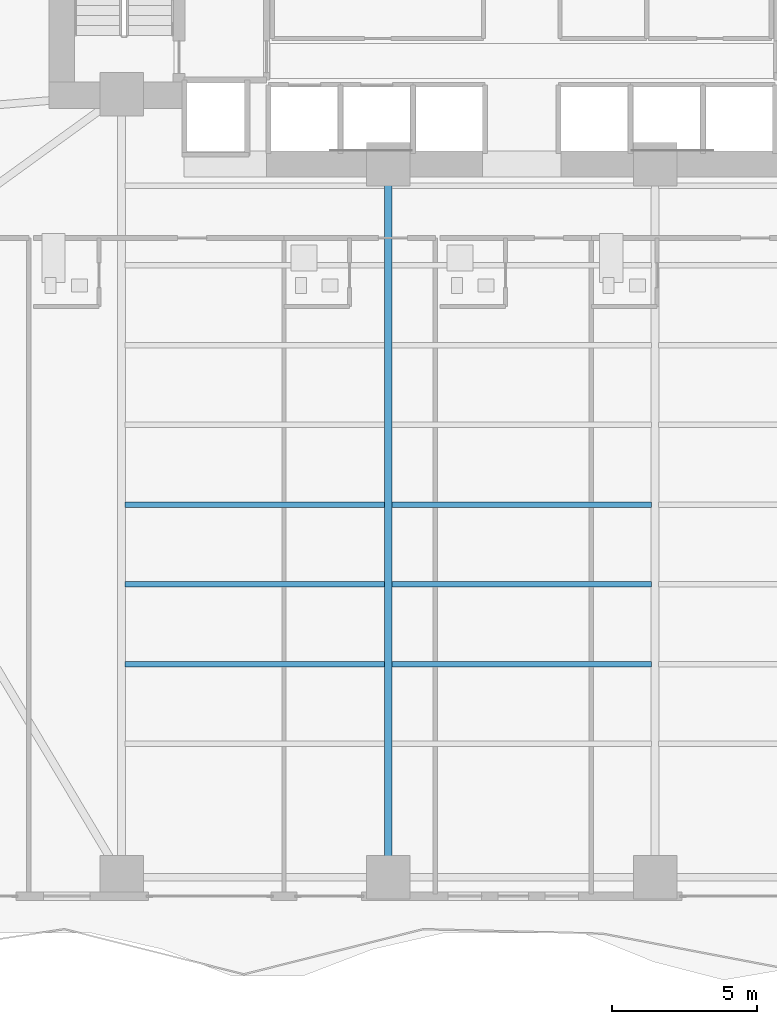
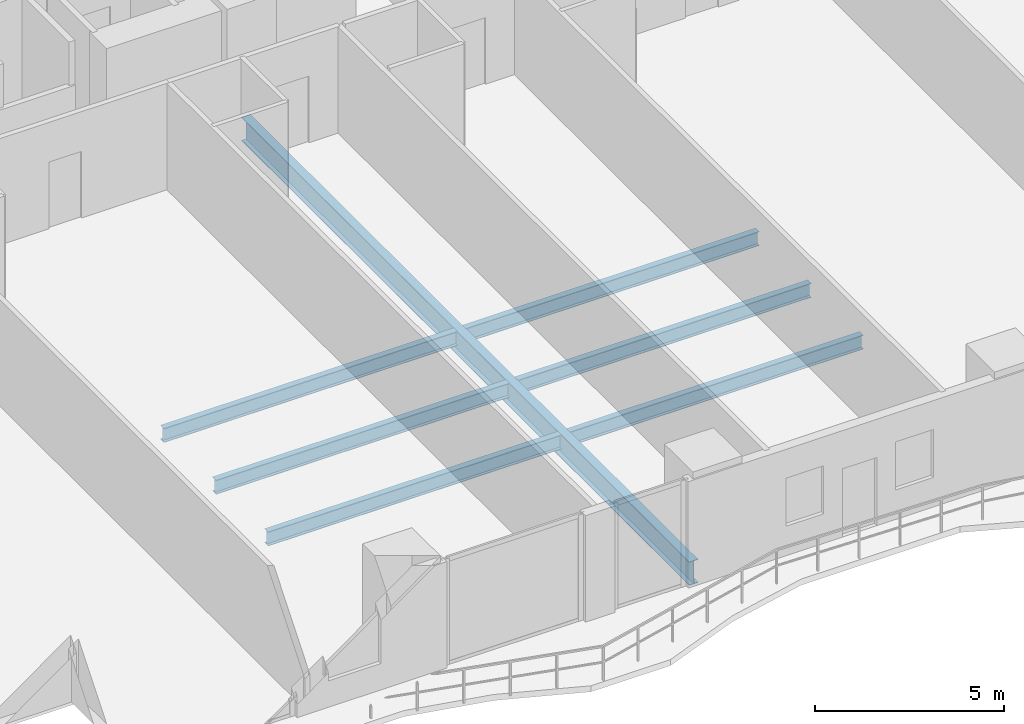
# One storey, part 5 of 29: 7 beams.
"""IFC4 building model written with IfcOpenShell, lengths in metres."""

import ifcopenshell
import ifcopenshell.guid

model = None  # the IFC model being written
_history = None  # IfcOwnerHistory: only IFC2X3 demands one
_inside = {}  # id of a spatial element -> (the spatial element, [elements in it])
_under = {}  # id of a project, library or spatial element -> (it, [spatial elements below it])
_declared = {}  # id of a project -> (the project, [libraries it declares])
_typed = {}  # id of a type object -> (the type object, [elements of that type])
_made_of = {}  # id of a material, layer set ... -> (it, [elements and type objects made of it])


def new_model(schema):
    """Start an empty IFC model of exactly this schema.

    Asked for "IFC4X3", IfcOpenShell would pick the latest addendum, in which some entities
    have other attributes; the version numbers below select the first issue.
    IFC2X3 requires an IfcOwnerHistory on every rooted entity: one is made here for all.
    """
    global model, _history
    if schema == "IFC4X3":
        model = ifcopenshell.file(schema_version=(4, 3, 0, 0))
    else:
        model = ifcopenshell.file(schema=schema)
    _inside.clear()
    _under.clear()
    _declared.clear()
    _typed.clear()
    _made_of.clear()
    _history = None
    if model.schema == "IFC2X3":
        org = make("IfcOrganization", Name="unknown")
        user = make(
            "IfcPersonAndOrganization",
            ThePerson=make("IfcPerson", FamilyName="unknown"),
            TheOrganization=org,
        )
        app = make(
            "IfcApplication",
            ApplicationDeveloper=org,
            Version="unknown",
            ApplicationFullName="unknown",
            ApplicationIdentifier="unknown",
        )
        _history = make(
            "IfcOwnerHistory",
            OwningUser=user,
            OwningApplication=app,
            ChangeAction="ADDED",
            CreationDate=0,
        )
    return model


def make(cls, **values):
    """One entity of the class cls with the attributes given. An attribute that is None is left unset."""
    return model.create_entity(
        cls, **{name: value for name, value in values.items() if value is not None}
    )


def rooted(cls, **values):
    """An entity with a GlobalId (a new one), such as an element, a storey or a relation."""
    return make(cls, GlobalId=ifcopenshell.guid.new(), OwnerHistory=_history, **values)


def si_unit(unit_type, name, prefix=None):
    """IfcSIUnit, for example si_unit("LENGTHUNIT", "METRE", prefix="MILLI")."""
    return make("IfcSIUnit", UnitType=unit_type, Prefix=prefix, Name=name)


def assignment(units):
    """IfcUnitAssignment: the units of a project."""
    return None if units is None else make("IfcUnitAssignment", Units=units)


def point(xyz):
    """IfcCartesianPoint."""
    return None if xyz is None else make("IfcCartesianPoint", Coordinates=xyz)


def direction(xyz):
    """IfcDirection."""
    return None if xyz is None else make("IfcDirection", DirectionRatios=xyz)


def frame(location, z_axis=None, x_axis=None):
    """IfcAxis2Placement3D, a coordinate frame: its origin and axes. An axis left out is left unset."""
    return make(
        "IfcAxis2Placement3D",
        Location=point(location),
        Axis=direction(z_axis),
        RefDirection=direction(x_axis),
    )


def frame_2d(location, x_axis=None):
    """IfcAxis2Placement2D, a coordinate frame in the plane: its origin and x axis."""
    return make(
        "IfcAxis2Placement2D", Location=point(location), RefDirection=direction(x_axis)
    )


def origin():
    """The frame at (0, 0, 0) with its axes left unset."""
    return frame((0.0, 0.0, 0.0))


def origin_2d():
    """The frame at (0, 0) in the plane with its x axis left unset."""
    return frame_2d((0.0, 0.0))


def place(relative_to, where):
    """IfcLocalPlacement: puts the frame where relative to a parent placement (None: the world)."""
    return make(
        "IfcLocalPlacement", PlacementRelTo=relative_to, RelativePlacement=where
    )


def context(
    kind, dimensions, precision=None, world=None, true_north=None, identifier=None
):
    """IfcGeometricRepresentationContext, for example the 3D "Model" context."""
    return make(
        "IfcGeometricRepresentationContext",
        ContextIdentifier=identifier,
        ContextType=kind,
        CoordinateSpaceDimension=dimensions,
        Precision=precision,
        WorldCoordinateSystem=world,
        TrueNorth=true_north,
    )


def subcontext(parent, identifier, kind, view, scale=None):
    """IfcGeometricRepresentationSubContext, for example "Body" below "Model"."""
    return make(
        "IfcGeometricRepresentationSubContext",
        ContextIdentifier=identifier,
        ContextType=kind,
        ParentContext=parent,
        TargetScale=scale,
        TargetView=view,
    )


def project(units=None, contexts=None):
    """IfcProject with its units and contexts."""
    return rooted(
        "IfcProject",
        Name="project",
        RepresentationContexts=contexts,
        UnitsInContext=assignment(units),
    )


def spatial(cls, under=None, at=None, **own):
    """A site, building, storey or space (cls), placed at a placement, below another one or the project."""
    s = rooted(cls, ObjectPlacement=at, **own)
    if under is not None:
        _under.setdefault(under.id(), (under, []))[1].append(s)
    return s


def profile(cls, at=None, kind="AREA", **sizes):
    """A parametric profile (cls). Its sizes go by their IFC names, for example OverallWidth=200.0."""
    return make(cls, ProfileType=kind, Position=at, **sizes)


def i_section(**sizes):
    """IfcIShapeProfileDef."""
    return profile("IfcIShapeProfileDef", **sizes)


def extrude(swept, where, along, depth):
    """IfcExtrudedAreaSolid: the profile swept, set in the frame where, extruded along a direction by depth."""
    return make(
        "IfcExtrudedAreaSolid",
        SweptArea=swept,
        Position=where,
        ExtrudedDirection=direction(along),
        Depth=depth,
    )


def shape(context_of_items, identifier, shape_type, items):
    """IfcShapeRepresentation: the items that make up one representation, for example the "Body"."""
    return make(
        "IfcShapeRepresentation",
        ContextOfItems=context_of_items,
        RepresentationIdentifier=identifier,
        RepresentationType=shape_type,
        Items=items,
    )


def material(Name=None, Category=None):
    """IfcMaterial."""
    return make("IfcMaterial", Name=Name, Category=Category)


def material_profile(
    of_material, cross_section, Name=None, Category=None, Priority=None
):
    """IfcMaterialProfile: a cross section and its material."""
    return make(
        "IfcMaterialProfile",
        Name=Name,
        Material=of_material,
        Profile=cross_section,
        Priority=Priority,
        Category=Category,
    )


def profile_set(profiles, Name=None, composite=None):
    """IfcMaterialProfileSet."""
    return make(
        "IfcMaterialProfileSet",
        Name=Name,
        MaterialProfiles=profiles,
        CompositeProfile=composite,
    )


def made_of(thing, what):
    """Note that an element or type object is made of a material, layer set ...; save() writes the relation."""
    if what is not None:
        _made_of.setdefault(what.id(), (what, []))[1].append(thing)
    return thing


def type_object(cls, material=None, **own):
    """A type object (cls), such as IfcWallType, which elements share."""
    return made_of(rooted(cls, **own), material)


def element(
    cls,
    number,
    at=None,
    inside=None,
    cuts=None,
    type_object=None,
    material=None,
    context=None,
    identifier="Body",
    shape_type=None,
    held_by="IfcProductDefinitionShape",
    body=None,
    shapes=None,
    **own,
):
    """One element of the class cls, such as IfcWall. Its Tag is "e" and its number.

    at: its placement. inside: the storey or other place that contains it. cuts: it is an
    opening in that element (IfcRelVoidsElement). A single representation is given by context,
    identifier, shape_type and body (its items); several are given by shapes. held_by: the class
    of the entity that holds the representations. save() writes the other relations.
    """
    e = rooted(cls, Tag="e%d" % number, ObjectPlacement=at, **own)
    if body is not None:
        shapes = [shape(context, identifier, shape_type, body)]
    if shapes is not None:
        e.Representation = make(held_by, Representations=shapes)
    if inside is not None:
        _inside.setdefault(inside.id(), (inside, []))[1].append(e)
    if cuts is not None:
        rooted(
            "IfcRelVoidsElement", RelatingBuildingElement=cuts, RelatedOpeningElement=e
        )
    if type_object is not None:
        _typed.setdefault(type_object.id(), (type_object, []))[1].append(e)
    return made_of(e, material)


def aggregate(whole, parts):
    """IfcRelAggregates: a whole, such as a stair, and the parts it consists of."""
    return rooted("IfcRelAggregates", RelatingObject=whole, RelatedObjects=parts)


def save(model, path):
    """Write the relations noted so far, then the file.

    IfcRelAggregates (storeys below a building ...), IfcRelContainedInSpatialStructure (elements
    in a storey), IfcRelDefinesByType, IfcRelAssociatesMaterial and IfcRelDeclares: one each for
    every whole, place, type object, material and project.
    """
    for whole, parts in _under.values():
        aggregate(whole, parts)
    for where, things in _inside.values():
        rooted(
            "IfcRelContainedInSpatialStructure",
            RelatedElements=things,
            RelatingStructure=where,
        )
    for kind, things in _typed.values():
        rooted("IfcRelDefinesByType", RelatedObjects=things, RelatingType=kind)
    for what, things in _made_of.values():
        rooted("IfcRelAssociatesMaterial", RelatedObjects=things, RelatingMaterial=what)
    for by, libraries in _declared.values():
        rooted("IfcRelDeclares", RelatingContext=by, RelatedDefinitions=libraries)
    model.write(path)


model = new_model("IFC4")

# Units and contexts
model_context = context("Model", 3, precision=1e-05, world=origin(), true_north=direction((0.0, 1.0)))
body_context = subcontext(model_context, "Body", "Model", "MODEL_VIEW")
ifc_project = project(units=[si_unit("LENGTHUNIT", "METRE"), si_unit("AREAUNIT", "SQUARE_METRE"), si_unit("VOLUMEUNIT", "CUBIC_METRE"), si_unit("PLANEANGLEUNIT", "RADIAN"), si_unit("MASSUNIT", "GRAM", prefix="KILO")], contexts=[model_context])

# Site, building, storey
site_placement = place(None, origin())
site = spatial("IfcSite", under=ifc_project, at=site_placement, CompositionType="ELEMENT")
building_placement = place(site_placement, origin())
building = spatial("IfcBuilding", under=site, at=building_placement, Name="Zuhayl Quay Hotel", CompositionType="ELEMENT")
storey_placement = place(building_placement, frame((0.0, 0.0, 45.85009765625)))
storey = spatial("IfcBuildingStorey", under=building, at=storey_placement, Name="L10", CompositionType="ELEMENT", Elevation=45.85009765625)

# Beams
ifc_material = material(Name="Steel ASTM A992 Grade 50", Category="steel")
ifc_material_profile_1 = material_profile(ifc_material, i_section(OverallWidth=0.26708984375, OverallDepth=0.761962890625, WebThickness=0.014404296875, FlangeThickness=0.021484375, at=origin_2d()), Name="W30X116")
ifc_profile_set_1 = profile_set([ifc_material_profile_1], Name="Steel ASTM A992 Grade 50")
beam_type_1 = type_object("IfcBeamType", Name="BM_B1_W30X116", PredefinedType="BEAM", material=ifc_profile_set_1)
beam_1_placement = place(storey_placement, frame((-4.60009765625, -21.949951171875, -0.60107421875), z_axis=(0.0, 1.0, 0.0), x_axis=(-1.0, 0.0, 0.0)))
element("IfcBeam", 1, at=beam_1_placement, inside=storey, type_object=beam_type_1, Name="L10 Floor Beam FG_S_L10_2", PredefinedType="BEAM", context=body_context, shape_type="SweptSolid", body=[
    extrude(i_section(OverallWidth=0.26708984375, OverallDepth=0.761962890625, WebThickness=0.014404296875, FlangeThickness=0.021484375, at=origin_2d()), origin(), (0.0, 0.0, 1.0), 23.64990234375),
])
ifc_material_profile_2 = material_profile(ifc_material, i_section(OverallWidth=0.18994140625, OverallDepth=0.45703125, WebThickness=0.009033203125, FlangeThickness=0.014404296875, at=origin_2d()), Name="W18X50")
ifc_profile_set_2 = profile_set([ifc_material_profile_2], Name="Steel ASTM A992 Grade 50")
beam_type_2 = type_object("IfcBeamType", Name="BM_J2_W18X50", PredefinedType="JOIST", material=ifc_profile_set_2)
beam_2_placement = place(storey_placement, frame((-13.674560546875, -15.10009765625, -0.448486328125), z_axis=(1.0, 0.0, 0.0), x_axis=(0.0, 1.0, 0.0)))
element("IfcBeam", 2, at=beam_2_placement, inside=storey, type_object=beam_type_2, Name="L10 Floor Beam FJ_L10_4_1", PredefinedType="JOIST", context=body_context, shape_type="SweptSolid", body=[
    extrude(i_section(OverallWidth=0.18994140625, OverallDepth=0.45703125, WebThickness=0.009033203125, FlangeThickness=0.014404296875, at=origin_2d()), origin(), (0.0, 0.0, 1.0), 8.948974609375),
])
beam_3_placement = place(storey_placement, frame((-4.474609375, -15.10009765625, -0.448486328125), z_axis=(1.0, 0.0, 0.0), x_axis=(0.0, 1.0, 0.0)))
element("IfcBeam", 3, at=beam_3_placement, inside=storey, type_object=beam_type_2, Name="L10 Floor Beam FJ_L10_4_2", PredefinedType="JOIST", context=body_context, shape_type="SweptSolid", body=[
    extrude(i_section(OverallWidth=0.18994140625, OverallDepth=0.45703125, WebThickness=0.009033203125, FlangeThickness=0.014404296875, at=origin_2d()), origin(), (0.0, 0.0, 1.0), 8.94921875),
])
beam_4_placement = place(storey_placement, frame((-13.674560546875, -12.35009765625, -0.448486328125), z_axis=(1.0, 0.0, 0.0), x_axis=(0.0, 1.0, 0.0)))
element("IfcBeam", 4, at=beam_4_placement, inside=storey, type_object=beam_type_2, Name="L10 Floor Beam FJ_L10_5_1", PredefinedType="JOIST", context=body_context, shape_type="SweptSolid", body=[
    extrude(i_section(OverallWidth=0.18994140625, OverallDepth=0.45703125, WebThickness=0.009033203125, FlangeThickness=0.014404296875, at=origin_2d()), origin(), (0.0, 0.0, 1.0), 8.948974609375),
])
beam_5_placement = place(storey_placement, frame((-4.474609375, -12.35009765625, -0.448486328125), z_axis=(1.0, 0.0, 0.0), x_axis=(0.0, 1.0, 0.0)))
element("IfcBeam", 5, at=beam_5_placement, inside=storey, type_object=beam_type_2, Name="L10 Floor Beam FJ_L10_5_2", PredefinedType="JOIST", context=body_context, shape_type="SweptSolid", body=[
    extrude(i_section(OverallWidth=0.18994140625, OverallDepth=0.45703125, WebThickness=0.009033203125, FlangeThickness=0.014404296875, at=origin_2d()), origin(), (0.0, 0.0, 1.0), 8.94921875),
])
beam_6_placement = place(storey_placement, frame((-13.674560546875, -9.60009765625, -0.448486328125), z_axis=(1.0, 0.0, 0.0), x_axis=(0.0, 1.0, 0.0)))
element("IfcBeam", 6, at=beam_6_placement, inside=storey, type_object=beam_type_2, Name="L10 Floor Beam FJ_L10_6_1", PredefinedType="JOIST", context=body_context, shape_type="SweptSolid", body=[
    extrude(i_section(OverallWidth=0.18994140625, OverallDepth=0.45703125, WebThickness=0.009033203125, FlangeThickness=0.014404296875, at=origin_2d()), origin(), (0.0, 0.0, 1.0), 8.948974609375),
])
beam_7_placement = place(storey_placement, frame((-4.474609375, -9.60009765625, -0.448486328125), z_axis=(1.0, 0.0, 0.0), x_axis=(0.0, 1.0, 0.0)))
element("IfcBeam", 7, at=beam_7_placement, inside=storey, type_object=beam_type_2, Name="L10 Floor Beam FJ_L10_6_2", PredefinedType="JOIST", context=body_context, shape_type="SweptSolid", body=[
    extrude(i_section(OverallWidth=0.18994140625, OverallDepth=0.45703125, WebThickness=0.009033203125, FlangeThickness=0.014404296875, at=origin_2d()), origin(), (0.0, 0.0, 1.0), 8.94921875),
])

save(model, "model.ifc")
